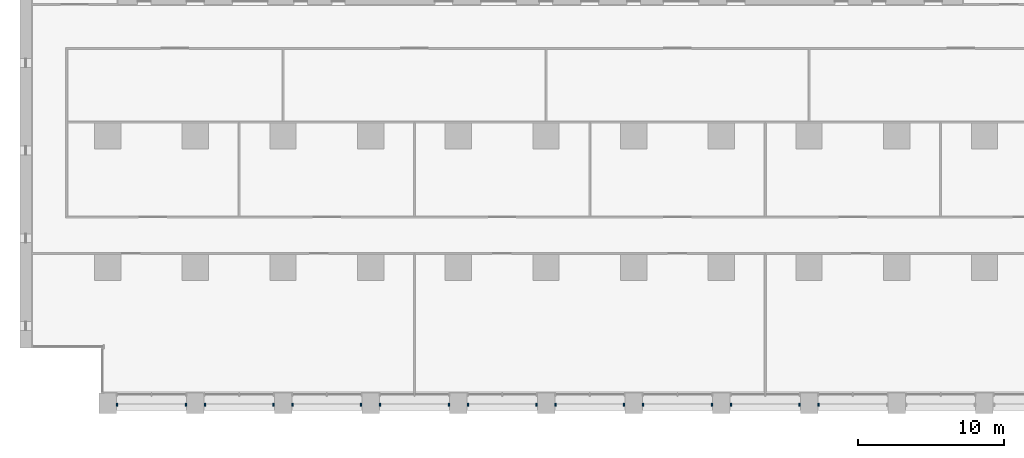
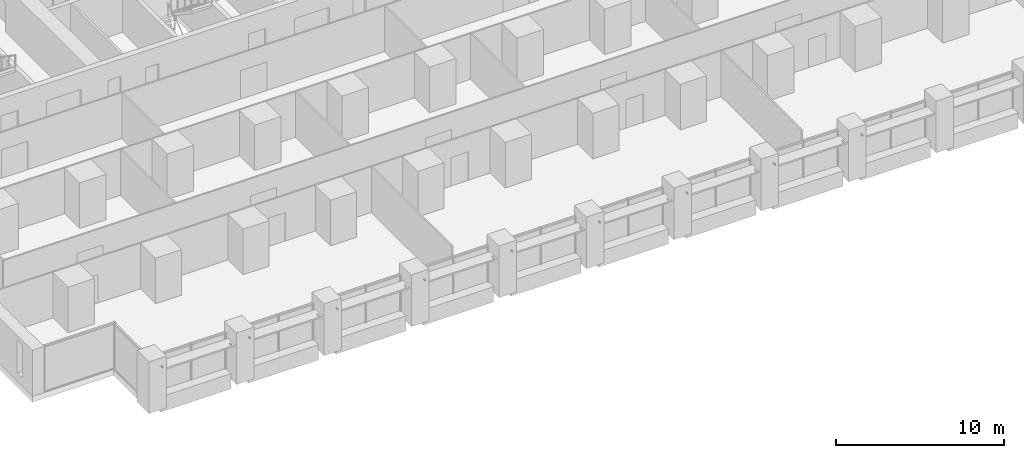
# One storey, part 15 of 18: 17 discrete accessories.
"""IFC4 building model written with IfcOpenShell, lengths in metres."""

from ifc_helpers import new_model, si_unit, direction, frame, origin, origin_2d, place, context, subcontext, project, spatial, rectangle, extrude, element, save


model = new_model("IFC4")

# Units and contexts
model_context = context("Model", 3, precision=1e-05, world=origin(), true_north=direction((0.0, 1.0)))
body_context = subcontext(model_context, "Body", "Model", "MODEL_VIEW")
ifc_project = project(units=[si_unit("LENGTHUNIT", "METRE"), si_unit("AREAUNIT", "SQUARE_METRE"), si_unit("VOLUMEUNIT", "CUBIC_METRE"), si_unit("PLANEANGLEUNIT", "RADIAN"), si_unit("MASSUNIT", "GRAM", prefix="KILO")], contexts=[model_context])

# Site, building, storey
site_placement = place(None, origin())
site = spatial("IfcSite", under=ifc_project, at=site_placement, CompositionType="ELEMENT")
building_placement = place(site_placement, origin())
building = spatial("IfcBuilding", under=site, at=building_placement, Name="Calvaro Tower", CompositionType="ELEMENT")
storey_placement = place(building_placement, frame((0.0, 0.0, 30.0)))
storey = spatial("IfcBuildingStorey", under=building, at=storey_placement, Name="L06", CompositionType="ELEMENT", Elevation=30.0)

# Discrete accessories
for number, where, z_axis, x_axis, name in (
    (1, (6.64990234375, 0.60009765625, 2.14990234375), (0.0, 0.0, 1.0), (1.0, 0.0, 0.0), "Brise-soleil bracket"),
    (2, (11.35009765625, 0.60009765625, 2.14990234375), (0.0, 0.0, 1.0), (1.0, 0.0, 0.0), "Brise-soleil bracket"),
    (3, (12.64990234375, 0.60009765625, 2.14990234375), (0.0, 0.0, 1.0), (1.0, 0.0, 0.0), "Brise-soleil bracket"),
    (4, (17.35009765625, 0.60009765625, 2.14990234375), (0.0, 0.0, 1.0), (1.0, 0.0, 0.0), "Brise-soleil bracket"),
    (5, (18.64990234375, 0.60009765625, 2.14990234375), (0.0, 0.0, 1.0), (1.0, 0.0, 0.0), "Brise-soleil bracket"),
    (6, (23.35009765625, 0.60009765625, 2.14990234375), (0.0, 0.0, 1.0), (1.0, 0.0, 0.0), "Brise-soleil bracket"),
    (7, (24.64990234375, 0.60009765625, 2.14990234375), (0.0, 0.0, 1.0), (1.0, 0.0, 0.0), "Brise-soleil bracket"),
    (8, (29.35009765625, 0.60009765625, 2.14990234375), (0.0, 0.0, 1.0), (1.0, 0.0, 0.0), "Brise-soleil bracket"),
    (9, (30.64990234375, 0.60009765625, 2.14990234375), (0.0, 0.0, 1.0), (1.0, 0.0, 0.0), "Brise-soleil bracket"),
    (10, (35.35009765625, 0.60009765625, 2.14990234375), (0.0, 0.0, 1.0), (1.0, 0.0, 0.0), "Brise-soleil bracket"),
    (11, (36.64990234375, 0.60009765625, 2.14990234375), (0.0, 0.0, 1.0), (1.0, 0.0, 0.0), "Brise-soleil bracket"),
    (12, (41.35009765625, 0.60009765625, 2.14990234375), (0.0, 0.0, 1.0), (1.0, 0.0, 0.0), "Brise-soleil bracket"),
    (13, (42.64990234375, 0.60009765625, 2.14990234375), (0.0, 0.0, 1.0), (1.0, 0.0, 0.0), "Brise-soleil bracket"),
    (14, (47.35009765625, 0.60009765625, 2.14990234375), (0.0, 0.0, 1.0), (1.0, 0.0, 0.0), "Brise-soleil bracket"),
    (15, (48.64990234375, 0.60009765625, 2.14990234375), (0.0, 0.0, 1.0), (1.0, 0.0, 0.0), "Brise-soleil bracket"),
    (16, (53.35009765625, 0.60009765625, 2.14990234375), (0.0, 0.0, 1.0), (1.0, 0.0, 0.0), "Brise-soleil bracket"),
    (17, (54.64990234375, 0.60009765625, 2.14990234375), (0.0, 0.0, 1.0), (1.0, 0.0, 0.0), "Brise-soleil bracket"),
):
    element("IfcDiscreteAccessory", number, at=place(storey_placement, frame(where, z_axis=z_axis, x_axis=x_axis)), inside=storey, Name=name, PredefinedType="BRACKET", context=body_context, shape_type="SweptSolid", body=[
        extrude(rectangle(XDim=0.10009765625, YDim=0.199951171875, at=origin_2d()), origin(), (0.0, 0.0, 1.0), 0.10009765625),
    ])

save(model, "model.ifc")
